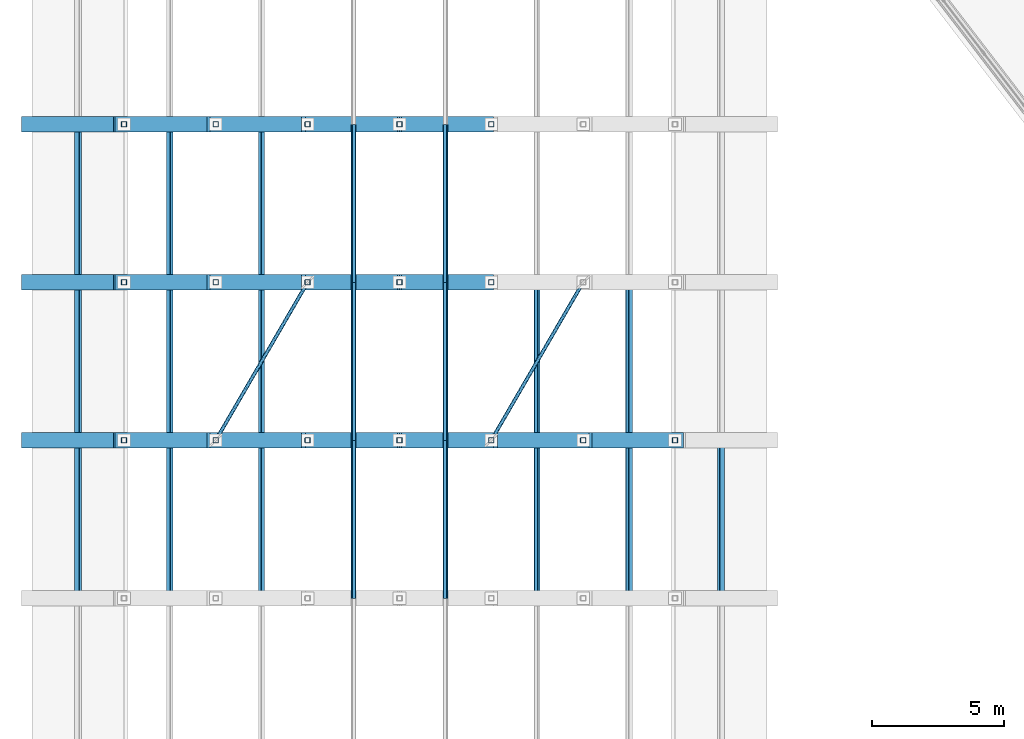
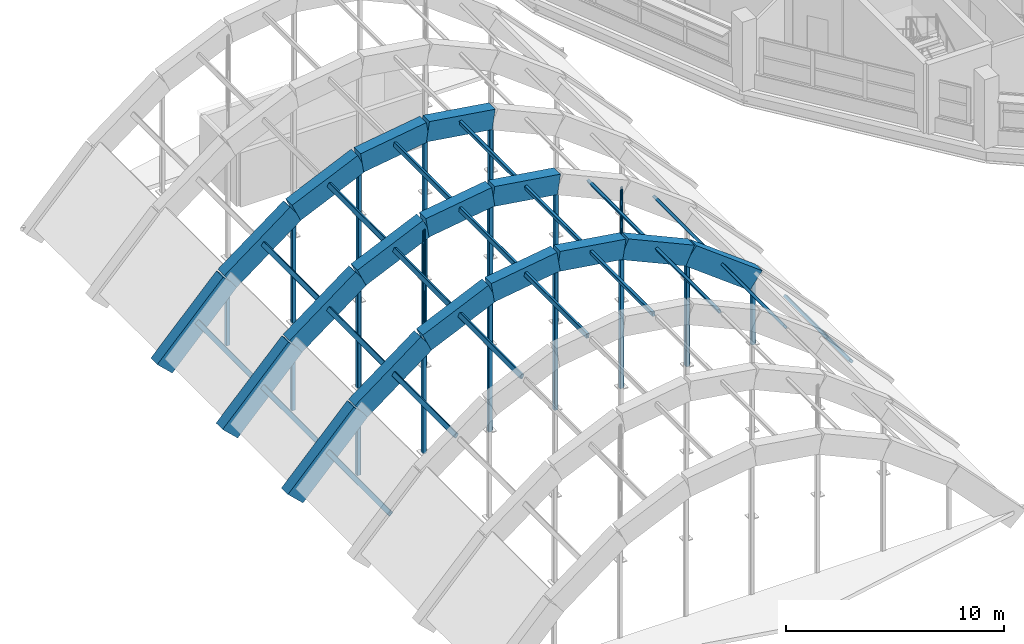
# One storey, part 3 of 88: 39 members, 17 beams.
"""IFC4 building model written with IfcOpenShell, lengths in metres."""

from ifc_helpers import new_model, si_unit, direction, frame, origin, origin_2d, place, context, subcontext, project, spatial, rectangle, hollow_rectangle, hollow_circle, extrude, material, material_profile, profile_set, type_object, element, save


model = new_model("IFC4")

# Units and contexts
model_context = context("Model", 3, precision=1e-05, world=origin(), true_north=direction((0.0, 1.0)))
body_context = subcontext(model_context, "Body", "Model", "MODEL_VIEW")
ifc_project = project(units=[si_unit("LENGTHUNIT", "METRE"), si_unit("AREAUNIT", "SQUARE_METRE"), si_unit("VOLUMEUNIT", "CUBIC_METRE"), si_unit("PLANEANGLEUNIT", "RADIAN"), si_unit("MASSUNIT", "GRAM", prefix="KILO")], contexts=[model_context])

# Site, building, storey
site_placement = place(None, origin())
site = spatial("IfcSite", under=ifc_project, at=site_placement, CompositionType="ELEMENT")
building_placement = place(site_placement, origin())
building = spatial("IfcBuilding", under=site, at=building_placement, Name="Vespera Passage Community Centre", CompositionType="ELEMENT")
storey_placement = place(building_placement, frame((0.0, 0.0, 16.5)))
storey = spatial("IfcBuildingStorey", under=building, at=storey_placement, Name="L04", CompositionType="ELEMENT", Elevation=16.5)

# Beams
ifc_material_1 = material(Name="Concrete f'c 45 MPa", Category="concrete")
ifc_material_profile_1 = material_profile(ifc_material_1, rectangle(XDim=0.60009765625, YDim=1.10009765625, at=origin_2d()), Name="RC600X1100")
ifc_profile_set_1 = profile_set([ifc_material_profile_1], Name="Concrete f'c 45 MPa")
beam_type = type_object("IfcBeamType", Name="BM-AR-600X1100", PredefinedType="USERDEFINED", material=ifc_profile_set_1)
beam_1_placement = place(storey_placement, frame((4.050048828125, 25.0, -0.550048828125), z_axis=(0.688360568967, 0.0, 0.725368683561), x_axis=(0.0, 1.0, 0.0)))
element("IfcBeam", 1, at=beam_1_placement, inside=storey, type_object=beam_type, Name="Main Hall Barrel Vault Arch Rib AR4 Seg 1", ObjectType="ARCH RIB", PredefinedType="USERDEFINED", context=body_context, shape_type="SweptSolid", body=[
    extrude(rectangle(XDim=0.60009765625, YDim=1.10009765625, at=origin_2d()), origin(), (0.0, 0.0, 1.0), 5.06640625),
])
beam_2_placement = place(storey_placement, frame((7.53759765625, 25.0, 3.125), z_axis=(0.798951709852, 0.0, 0.601395182325), x_axis=(0.0, 1.0, 0.0)))
element("IfcBeam", 2, at=beam_2_placement, inside=storey, type_object=beam_type, Name="Main Hall Barrel Vault Arch Rib AR4 Seg 2", ObjectType="ARCH RIB", PredefinedType="USERDEFINED", context=body_context, shape_type="SweptSolid", body=[
    extrude(rectangle(XDim=0.60009765625, YDim=1.10009765625, at=origin_2d()), origin(), (0.0, 0.0, 1.0), 4.36474609375),
])
beam_3_placement = place(storey_placement, frame((11.02490234375, 25.0, 5.75), z_axis=(0.911377547456, 0.0, 0.411571337672), x_axis=(0.0, 1.0, 0.0)))
element("IfcBeam", 3, at=beam_3_placement, inside=storey, type_object=beam_type, Name="Main Hall Barrel Vault Arch Rib AR4 Seg 3", ObjectType="ARCH RIB", PredefinedType="USERDEFINED", context=body_context, shape_type="SweptSolid", body=[
    extrude(rectangle(XDim=0.60009765625, YDim=1.10009765625, at=origin_2d()), origin(), (0.0, 0.0, 1.0), 3.82666015625),
])
for number, where, z_axis, x_axis, name in (
    (4, (14.512451171875, 25.0, 7.324951171875), (0.988852416544, 0.0, 0.148898953307), (0.0, 1.0, 0.0), "Main Hall Barrel Vault Arch Rib AR4 Seg 4"),
    (5, (18.0, 25.0, 7.85009765625), (0.988852416544, 0.0, -0.148898953307), (0.0, 1.0, 0.0), "Main Hall Barrel Vault Arch Rib AR4 Seg 5"),
):
    element("IfcBeam", number, at=place(storey_placement, frame(where, z_axis=z_axis, x_axis=x_axis)), inside=storey, type_object=beam_type, Name=name, ObjectType="ARCH RIB", PredefinedType="USERDEFINED", context=body_context, shape_type="SweptSolid", body=[
        extrude(rectangle(XDim=0.60009765625, YDim=1.10009765625, at=origin_2d()), origin(), (0.0, 0.0, 1.0), 3.52685546875),
    ])
beam_4_placement = place(storey_placement, frame((21.487548828125, 25.0, 7.324951171875), z_axis=(0.911377547456, 0.0, -0.411571337672), x_axis=(0.0, 1.0, 0.0)))
element("IfcBeam", 6, at=beam_4_placement, inside=storey, type_object=beam_type, Name="Main Hall Barrel Vault Arch Rib AR4 Seg 6", ObjectType="ARCH RIB", PredefinedType="USERDEFINED", context=body_context, shape_type="SweptSolid", body=[
    extrude(rectangle(XDim=0.60009765625, YDim=1.10009765625, at=origin_2d()), origin(), (0.0, 0.0, 1.0), 3.82666015625),
])
beam_5_placement = place(storey_placement, frame((24.97509765625, 25.0, 5.75), z_axis=(0.798951709852, 0.0, -0.601395182325), x_axis=(0.0, 1.0, 0.0)))
element("IfcBeam", 7, at=beam_5_placement, inside=storey, type_object=beam_type, Name="Main Hall Barrel Vault Arch Rib AR4 Seg 7", ObjectType="ARCH RIB", PredefinedType="USERDEFINED", context=body_context, shape_type="SweptSolid", body=[
    extrude(rectangle(XDim=0.60009765625, YDim=1.10009765625, at=origin_2d()), origin(), (0.0, 0.0, 1.0), 4.36474609375),
])
beam_6_placement = place(storey_placement, frame((4.050048828125, 31.0, -0.550048828125), z_axis=(0.688360568967, 0.0, 0.725368683561), x_axis=(0.0, 1.0, 0.0)))
element("IfcBeam", 8, at=beam_6_placement, inside=storey, type_object=beam_type, Name="Main Hall Barrel Vault Arch Rib AR5 Seg 1", ObjectType="ARCH RIB", PredefinedType="USERDEFINED", context=body_context, shape_type="SweptSolid", body=[
    extrude(rectangle(XDim=0.60009765625, YDim=1.10009765625, at=origin_2d()), origin(), (0.0, 0.0, 1.0), 5.06640625),
])
beam_7_placement = place(storey_placement, frame((7.53759765625, 31.0, 3.125), z_axis=(0.798951709852, 0.0, 0.601395182325), x_axis=(0.0, 1.0, 0.0)))
element("IfcBeam", 9, at=beam_7_placement, inside=storey, type_object=beam_type, Name="Main Hall Barrel Vault Arch Rib AR5 Seg 2", ObjectType="ARCH RIB", PredefinedType="USERDEFINED", context=body_context, shape_type="SweptSolid", body=[
    extrude(rectangle(XDim=0.60009765625, YDim=1.10009765625, at=origin_2d()), origin(), (0.0, 0.0, 1.0), 4.36474609375),
])
beam_8_placement = place(storey_placement, frame((11.02490234375, 31.0, 5.75), z_axis=(0.911377547456, 0.0, 0.411571337672), x_axis=(0.0, 1.0, 0.0)))
element("IfcBeam", 10, at=beam_8_placement, inside=storey, type_object=beam_type, Name="Main Hall Barrel Vault Arch Rib AR5 Seg 3", ObjectType="ARCH RIB", PredefinedType="USERDEFINED", context=body_context, shape_type="SweptSolid", body=[
    extrude(rectangle(XDim=0.60009765625, YDim=1.10009765625, at=origin_2d()), origin(), (0.0, 0.0, 1.0), 3.82666015625),
])
for number, where, z_axis, x_axis, name in (
    (11, (14.512451171875, 31.0, 7.324951171875), (0.988852416544, 0.0, 0.148898953307), (0.0, 1.0, 0.0), "Main Hall Barrel Vault Arch Rib AR5 Seg 4"),
    (12, (18.0, 31.0, 7.85009765625), (0.988852416544, 0.0, -0.148898953307), (0.0, 1.0, 0.0), "Main Hall Barrel Vault Arch Rib AR5 Seg 5"),
):
    element("IfcBeam", number, at=place(storey_placement, frame(where, z_axis=z_axis, x_axis=x_axis)), inside=storey, type_object=beam_type, Name=name, ObjectType="ARCH RIB", PredefinedType="USERDEFINED", context=body_context, shape_type="SweptSolid", body=[
        extrude(rectangle(XDim=0.60009765625, YDim=1.10009765625, at=origin_2d()), origin(), (0.0, 0.0, 1.0), 3.52685546875),
    ])
beam_9_placement = place(storey_placement, frame((4.050048828125, 37.0, -0.550048828125), z_axis=(0.688360568967, 0.0, 0.725368683561), x_axis=(0.0, 1.0, 0.0)))
element("IfcBeam", 13, at=beam_9_placement, inside=storey, type_object=beam_type, Name="Main Hall Barrel Vault Arch Rib AR6 Seg 1", ObjectType="ARCH RIB", PredefinedType="USERDEFINED", context=body_context, shape_type="SweptSolid", body=[
    extrude(rectangle(XDim=0.60009765625, YDim=1.10009765625, at=origin_2d()), origin(), (0.0, 0.0, 1.0), 5.06640625),
])
beam_10_placement = place(storey_placement, frame((7.53759765625, 37.0, 3.125), z_axis=(0.798951709852, 0.0, 0.601395182325), x_axis=(0.0, 1.0, 0.0)))
element("IfcBeam", 14, at=beam_10_placement, inside=storey, type_object=beam_type, Name="Main Hall Barrel Vault Arch Rib AR6 Seg 2", ObjectType="ARCH RIB", PredefinedType="USERDEFINED", context=body_context, shape_type="SweptSolid", body=[
    extrude(rectangle(XDim=0.60009765625, YDim=1.10009765625, at=origin_2d()), origin(), (0.0, 0.0, 1.0), 4.36474609375),
])
beam_11_placement = place(storey_placement, frame((11.02490234375, 37.0, 5.75), z_axis=(0.911377547456, 0.0, 0.411571337672), x_axis=(0.0, 1.0, 0.0)))
element("IfcBeam", 15, at=beam_11_placement, inside=storey, type_object=beam_type, Name="Main Hall Barrel Vault Arch Rib AR6 Seg 3", ObjectType="ARCH RIB", PredefinedType="USERDEFINED", context=body_context, shape_type="SweptSolid", body=[
    extrude(rectangle(XDim=0.60009765625, YDim=1.10009765625, at=origin_2d()), origin(), (0.0, 0.0, 1.0), 3.82666015625),
])
for number, where, z_axis, x_axis, name in (
    (16, (14.512451171875, 37.0, 7.324951171875), (0.988852416544, 0.0, 0.148898953307), (0.0, 1.0, 0.0), "Main Hall Barrel Vault Arch Rib AR6 Seg 4"),
    (17, (18.0, 37.0, 7.85009765625), (0.988852416544, 0.0, -0.148898953307), (0.0, 1.0, 0.0), "Main Hall Barrel Vault Arch Rib AR6 Seg 5"),
):
    element("IfcBeam", number, at=place(storey_placement, frame(where, z_axis=z_axis, x_axis=x_axis)), inside=storey, type_object=beam_type, Name=name, ObjectType="ARCH RIB", PredefinedType="USERDEFINED", context=body_context, shape_type="SweptSolid", body=[
        extrude(rectangle(XDim=0.60009765625, YDim=1.10009765625, at=origin_2d()), origin(), (0.0, 0.0, 1.0), 3.52685546875),
    ])

# Members
ifc_material_2 = material(Name="Steel ASTM A500 Grade C", Category="steel")
ifc_material_profile_2 = material_profile(ifc_material_2, hollow_rectangle(XDim=0.15234375, YDim=0.25390625, WallThickness=0.01171875, InnerFilletRadius=0.01171875, OuterFilletRadius=0.023681640625, at=origin_2d()), Name="HSS254X152X12.7")
ifc_profile_set_2 = profile_set([ifc_material_profile_2], Name="Steel ASTM A500 Grade C")
member_type_1 = type_object("IfcMemberType", Name="MB-PR-HSS254X152", PredefinedType="PURLIN", material=ifc_profile_set_2)
for number, where, z_axis, x_axis, name in (
    (18, (5.793701171875, 19.0, 1.46044921875), (0.0, 1.0, 0.0), (-0.688354575694, 0.0, 0.725374371012), "Main Hall Vault Purlin B3.1"),
    (19, (9.28125, 19.0, 4.610595703125), (0.0, 1.0, 0.0), (-0.798971502388, 0.0, 0.6013688871), "Main Hall Vault Purlin B3.2"),
    (20, (12.768798828125, 19.0, 6.71044921875), (0.0, 1.0, 0.0), (-0.911367361763, 0.0, 0.411593891978), "Main Hall Vault Purlin B3.3"),
    (21, (16.25634765625, 19.0, 7.760498046875), (0.0, 1.0, 0.0), (-0.988857937462, 0.0, 0.148862283734), "Main Hall Vault Purlin B3.4"),
    (22, (19.74365234375, 19.0, 7.760498046875), (0.0, 1.0, 0.0), (-0.988857937462, 0.0, -0.148862283734), "Main Hall Vault Purlin B3.5"),
    (23, (23.231201171875, 19.0, 6.71044921875), (0.0, 1.0, 0.0), (-0.911367361763, 0.0, -0.411593891978), "Main Hall Vault Purlin B3.6"),
    (24, (26.71875, 19.0, 4.610595703125), (0.0, 1.0, 0.0), (-0.798971502388, 0.0, -0.6013688871), "Main Hall Vault Purlin B3.7"),
    (25, (30.206298828125, 19.0, 1.46044921875), (0.0, 1.0, 0.0), (-0.688354575694, 0.0, -0.725374371012), "Main Hall Vault Purlin B3.8"),
    (26, (5.793701171875, 25.0, 1.46044921875), (0.0, 1.0, 0.0), (-0.688354575694, 0.0, 0.725374371012), "Main Hall Vault Purlin B4.1"),
    (27, (9.28125, 25.0, 4.610595703125), (0.0, 1.0, 0.0), (-0.798971502388, 0.0, 0.6013688871), "Main Hall Vault Purlin B4.2"),
    (28, (12.768798828125, 25.0, 6.71044921875), (0.0, 1.0, 0.0), (-0.911367361763, 0.0, 0.411593891978), "Main Hall Vault Purlin B4.3"),
    (29, (16.25634765625, 25.0, 7.760498046875), (0.0, 1.0, 0.0), (-0.988857937462, 0.0, 0.148862283734), "Main Hall Vault Purlin B4.4"),
    (30, (19.74365234375, 25.0, 7.760498046875), (0.0, 1.0, 0.0), (-0.988857937462, 0.0, -0.148862283734), "Main Hall Vault Purlin B4.5"),
    (31, (23.231201171875, 25.0, 6.71044921875), (0.0, 1.0, 0.0), (-0.911367361763, 0.0, -0.411593891978), "Main Hall Vault Purlin B4.6"),
    (32, (26.71875, 25.0, 4.610595703125), (0.0, 1.0, 0.0), (-0.798971502388, 0.0, -0.6013688871), "Main Hall Vault Purlin B4.7"),
    (33, (5.793701171875, 31.0, 1.46044921875), (0.0, 1.0, 0.0), (-0.688354575694, 0.0, 0.725374371012), "Main Hall Vault Purlin B5.1"),
    (34, (9.28125, 31.0, 4.610595703125), (0.0, 1.0, 0.0), (-0.798971502388, 0.0, 0.6013688871), "Main Hall Vault Purlin B5.2"),
    (35, (12.768798828125, 31.0, 6.71044921875), (0.0, 1.0, 0.0), (-0.911367361763, 0.0, 0.411593891978), "Main Hall Vault Purlin B5.3"),
    (36, (16.25634765625, 31.0, 7.760498046875), (0.0, 1.0, 0.0), (-0.988857937462, 0.0, 0.148862283734), "Main Hall Vault Purlin B5.4"),
    (37, (19.74365234375, 31.0, 7.760498046875), (0.0, 1.0, 0.0), (-0.988857937462, 0.0, -0.148862283734), "Main Hall Vault Purlin B5.5"),
):
    element("IfcMember", number, at=place(storey_placement, frame(where, z_axis=z_axis, x_axis=x_axis)), inside=storey, type_object=member_type_1, Name=name, PredefinedType="PURLIN", context=body_context, shape_type="SweptSolid", body=[
        extrude(hollow_rectangle(XDim=0.15234375, YDim=0.25390625, WallThickness=0.01171875, InnerFilletRadius=0.01171875, OuterFilletRadius=0.023681640625, at=origin_2d()), origin(), (0.0, 0.0, 1.0), 6.0),
    ])
ifc_material_3 = material(Name="Steel ASTM A500 Grade C", Category="steel")
ifc_material_profile_3 = material_profile(ifc_material_3, hollow_rectangle(XDim=0.203125, YDim=0.203125, WallThickness=0.01171875, InnerFilletRadius=0.01171875, OuterFilletRadius=0.023681640625, at=origin_2d()), Name="HSS203X203X12.7")
ifc_profile_set_3 = profile_set([ifc_material_profile_3], Name="Steel ASTM A500 Grade C")
member_type_2 = type_object("IfcMemberType", Name="SS-203", PredefinedType="STRUT", material=ifc_profile_set_3)
member_1_placement = place(storey_placement, frame((7.53759765625, 25.0, -0.58544921875), z_axis=(0.0, 0.0, 1.0), x_axis=(1.0, 0.0, 0.0)))
element("IfcMember", 38, at=member_1_placement, inside=storey, type_object=member_type_2, Name="Main Hall Arch Rib AR4 Bowstring Post 1", PredefinedType="STRUT", context=body_context, shape_type="SweptSolid", body=[
    extrude(hollow_rectangle(XDim=0.203125, YDim=0.203125, WallThickness=0.01171875, InnerFilletRadius=0.01171875, OuterFilletRadius=0.023681640625, at=origin_2d()), origin(), (0.0, 0.0, 1.0), 3.71044921875),
])
member_2_placement = place(storey_placement, frame((11.02490234375, 25.0, -0.58544921875), z_axis=(0.0, 0.0, 1.0), x_axis=(1.0, 0.0, 0.0)))
element("IfcMember", 39, at=member_2_placement, inside=storey, type_object=member_type_2, Name="Main Hall Arch Rib AR4 Bowstring Post 2", PredefinedType="STRUT", context=body_context, shape_type="SweptSolid", body=[
    extrude(hollow_rectangle(XDim=0.203125, YDim=0.203125, WallThickness=0.01171875, InnerFilletRadius=0.01171875, OuterFilletRadius=0.023681640625, at=origin_2d()), origin(), (0.0, 0.0, 1.0), 6.33544921875),
])
member_3_placement = place(storey_placement, frame((14.512451171875, 25.0, -0.58544921875), z_axis=(0.0, 0.0, 1.0), x_axis=(1.0, 0.0, 0.0)))
element("IfcMember", 40, at=member_3_placement, inside=storey, type_object=member_type_2, Name="Main Hall Arch Rib AR4 Bowstring Post 3", PredefinedType="STRUT", context=body_context, shape_type="SweptSolid", body=[
    extrude(hollow_rectangle(XDim=0.203125, YDim=0.203125, WallThickness=0.01171875, InnerFilletRadius=0.01171875, OuterFilletRadius=0.023681640625, at=origin_2d()), origin(), (0.0, 0.0, 1.0), 7.910400390625),
])
member_4_placement = place(storey_placement, frame((18.0, 25.0, -0.58544921875), z_axis=(0.0, 0.0, 1.0), x_axis=(1.0, 0.0, 0.0)))
element("IfcMember", 41, at=member_4_placement, inside=storey, type_object=member_type_2, Name="Main Hall Arch Rib AR4 Bowstring Post 4", PredefinedType="STRUT", context=body_context, shape_type="SweptSolid", body=[
    extrude(hollow_rectangle(XDim=0.203125, YDim=0.203125, WallThickness=0.01171875, InnerFilletRadius=0.01171875, OuterFilletRadius=0.023681640625, at=origin_2d()), origin(), (0.0, 0.0, 1.0), 8.435546875),
])
member_5_placement = place(storey_placement, frame((21.487548828125, 25.0, -0.58544921875), z_axis=(0.0, 0.0, 1.0), x_axis=(1.0, 0.0, 0.0)))
element("IfcMember", 42, at=member_5_placement, inside=storey, type_object=member_type_2, Name="Main Hall Arch Rib AR4 Bowstring Post 5", PredefinedType="STRUT", context=body_context, shape_type="SweptSolid", body=[
    extrude(hollow_rectangle(XDim=0.203125, YDim=0.203125, WallThickness=0.01171875, InnerFilletRadius=0.01171875, OuterFilletRadius=0.023681640625, at=origin_2d()), origin(), (0.0, 0.0, 1.0), 7.910400390625),
])
member_6_placement = place(storey_placement, frame((24.97509765625, 25.0, -0.58544921875), z_axis=(0.0, 0.0, 1.0), x_axis=(1.0, 0.0, 0.0)))
element("IfcMember", 43, at=member_6_placement, inside=storey, type_object=member_type_2, Name="Main Hall Arch Rib AR4 Bowstring Post 6", PredefinedType="STRUT", context=body_context, shape_type="SweptSolid", body=[
    extrude(hollow_rectangle(XDim=0.203125, YDim=0.203125, WallThickness=0.01171875, InnerFilletRadius=0.01171875, OuterFilletRadius=0.023681640625, at=origin_2d()), origin(), (0.0, 0.0, 1.0), 6.33544921875),
])
for number, where, z_axis, x_axis, name in (
    (44, (28.46240234375, 25.0, -0.58544921875), (0.0, 0.0, 1.0), (1.0, 0.0, 0.0), "Main Hall Arch Rib AR4 Bowstring Post 7"),
    (45, (7.53759765625, 31.0, -0.58544921875), (0.0, 0.0, 1.0), (1.0, 0.0, 0.0), "Main Hall Arch Rib AR5 Bowstring Post 1"),
):
    element("IfcMember", number, at=place(storey_placement, frame(where, z_axis=z_axis, x_axis=x_axis)), inside=storey, type_object=member_type_2, Name=name, PredefinedType="STRUT", context=body_context, shape_type="SweptSolid", body=[
        extrude(hollow_rectangle(XDim=0.203125, YDim=0.203125, WallThickness=0.01171875, InnerFilletRadius=0.01171875, OuterFilletRadius=0.023681640625, at=origin_2d()), origin(), (0.0, 0.0, 1.0), 3.71044921875),
    ])
member_7_placement = place(storey_placement, frame((11.02490234375, 31.0, -0.58544921875), z_axis=(0.0, 0.0, 1.0), x_axis=(1.0, 0.0, 0.0)))
element("IfcMember", 46, at=member_7_placement, inside=storey, type_object=member_type_2, Name="Main Hall Arch Rib AR5 Bowstring Post 2", PredefinedType="STRUT", context=body_context, shape_type="SweptSolid", body=[
    extrude(hollow_rectangle(XDim=0.203125, YDim=0.203125, WallThickness=0.01171875, InnerFilletRadius=0.01171875, OuterFilletRadius=0.023681640625, at=origin_2d()), origin(), (0.0, 0.0, 1.0), 6.33544921875),
])
member_8_placement = place(storey_placement, frame((14.512451171875, 31.0, -0.58544921875), z_axis=(0.0, 0.0, 1.0), x_axis=(1.0, 0.0, 0.0)))
element("IfcMember", 47, at=member_8_placement, inside=storey, type_object=member_type_2, Name="Main Hall Arch Rib AR5 Bowstring Post 3", PredefinedType="STRUT", context=body_context, shape_type="SweptSolid", body=[
    extrude(hollow_rectangle(XDim=0.203125, YDim=0.203125, WallThickness=0.01171875, InnerFilletRadius=0.01171875, OuterFilletRadius=0.023681640625, at=origin_2d()), origin(), (0.0, 0.0, 1.0), 7.910400390625),
])
member_9_placement = place(storey_placement, frame((18.0, 31.0, -0.58544921875), z_axis=(0.0, 0.0, 1.0), x_axis=(1.0, 0.0, 0.0)))
element("IfcMember", 48, at=member_9_placement, inside=storey, type_object=member_type_2, Name="Main Hall Arch Rib AR5 Bowstring Post 4", PredefinedType="STRUT", context=body_context, shape_type="SweptSolid", body=[
    extrude(hollow_rectangle(XDim=0.203125, YDim=0.203125, WallThickness=0.01171875, InnerFilletRadius=0.01171875, OuterFilletRadius=0.023681640625, at=origin_2d()), origin(), (0.0, 0.0, 1.0), 8.435546875),
])
member_10_placement = place(storey_placement, frame((21.487548828125, 31.0, -0.58544921875), z_axis=(0.0, 0.0, 1.0), x_axis=(1.0, 0.0, 0.0)))
element("IfcMember", 49, at=member_10_placement, inside=storey, type_object=member_type_2, Name="Main Hall Arch Rib AR5 Bowstring Post 5", PredefinedType="STRUT", context=body_context, shape_type="SweptSolid", body=[
    extrude(hollow_rectangle(XDim=0.203125, YDim=0.203125, WallThickness=0.01171875, InnerFilletRadius=0.01171875, OuterFilletRadius=0.023681640625, at=origin_2d()), origin(), (0.0, 0.0, 1.0), 7.910400390625),
])
member_11_placement = place(storey_placement, frame((7.53759765625, 37.0, -0.58544921875), z_axis=(0.0, 0.0, 1.0), x_axis=(1.0, 0.0, 0.0)))
element("IfcMember", 50, at=member_11_placement, inside=storey, type_object=member_type_2, Name="Main Hall Arch Rib AR6 Bowstring Post 1", PredefinedType="STRUT", context=body_context, shape_type="SweptSolid", body=[
    extrude(hollow_rectangle(XDim=0.203125, YDim=0.203125, WallThickness=0.01171875, InnerFilletRadius=0.01171875, OuterFilletRadius=0.023681640625, at=origin_2d()), origin(), (0.0, 0.0, 1.0), 3.71044921875),
])
member_12_placement = place(storey_placement, frame((11.02490234375, 37.0, -0.58544921875), z_axis=(0.0, 0.0, 1.0), x_axis=(1.0, 0.0, 0.0)))
element("IfcMember", 51, at=member_12_placement, inside=storey, type_object=member_type_2, Name="Main Hall Arch Rib AR6 Bowstring Post 2", PredefinedType="STRUT", context=body_context, shape_type="SweptSolid", body=[
    extrude(hollow_rectangle(XDim=0.203125, YDim=0.203125, WallThickness=0.01171875, InnerFilletRadius=0.01171875, OuterFilletRadius=0.023681640625, at=origin_2d()), origin(), (0.0, 0.0, 1.0), 6.33544921875),
])
member_13_placement = place(storey_placement, frame((14.512451171875, 37.0, -0.58544921875), z_axis=(0.0, 0.0, 1.0), x_axis=(1.0, 0.0, 0.0)))
element("IfcMember", 52, at=member_13_placement, inside=storey, type_object=member_type_2, Name="Main Hall Arch Rib AR6 Bowstring Post 3", PredefinedType="STRUT", context=body_context, shape_type="SweptSolid", body=[
    extrude(hollow_rectangle(XDim=0.203125, YDim=0.203125, WallThickness=0.01171875, InnerFilletRadius=0.01171875, OuterFilletRadius=0.023681640625, at=origin_2d()), origin(), (0.0, 0.0, 1.0), 7.910400390625),
])
member_14_placement = place(storey_placement, frame((18.0, 37.0, -0.58544921875), z_axis=(0.0, 0.0, 1.0), x_axis=(1.0, 0.0, 0.0)))
element("IfcMember", 53, at=member_14_placement, inside=storey, type_object=member_type_2, Name="Main Hall Arch Rib AR6 Bowstring Post 4", PredefinedType="STRUT", context=body_context, shape_type="SweptSolid", body=[
    extrude(hollow_rectangle(XDim=0.203125, YDim=0.203125, WallThickness=0.01171875, InnerFilletRadius=0.01171875, OuterFilletRadius=0.023681640625, at=origin_2d()), origin(), (0.0, 0.0, 1.0), 8.435546875),
])
member_15_placement = place(storey_placement, frame((21.487548828125, 37.0, -0.58544921875), z_axis=(0.0, 0.0, 1.0), x_axis=(1.0, 0.0, 0.0)))
element("IfcMember", 54, at=member_15_placement, inside=storey, type_object=member_type_2, Name="Main Hall Arch Rib AR6 Bowstring Post 5", PredefinedType="STRUT", context=body_context, shape_type="SweptSolid", body=[
    extrude(hollow_rectangle(XDim=0.203125, YDim=0.203125, WallThickness=0.01171875, InnerFilletRadius=0.01171875, OuterFilletRadius=0.023681640625, at=origin_2d()), origin(), (0.0, 0.0, 1.0), 7.910400390625),
])
ifc_material_4 = material(Name="Steel ASTM A500 Grade C", Category="steel")
ifc_material_profile_4 = material_profile(ifc_material_4, hollow_circle(Radius=0.070556640625, WallThickness=0.0087890625, at=origin_2d()), Name="CHS141X9.5")
ifc_profile_set_4 = profile_set([ifc_material_profile_4], Name="Steel ASTM A500 Grade C")
member_type_3 = type_object("IfcMemberType", Name="VB-141", PredefinedType="BRACE", material=ifc_profile_set_4)
for number, where, z_axis, x_axis, name in (
    (55, (11.02490234375, 25.0, 5.75), (0.490070519088, 0.843120271411, 0.221312209915), (-0.86455872774, 0.502531796296, 0.0), "Vault Wind Brace B4.3"),
    (56, (21.487548828125, 25.0, 7.324951171875), (0.490070519088, 0.843120271411, -0.221312209915), (-0.86455872774, 0.502531796296, 0.0), "Vault Wind Brace B4.6"),
):
    element("IfcMember", number, at=place(storey_placement, frame(where, z_axis=z_axis, x_axis=x_axis)), inside=storey, type_object=member_type_3, Name=name, PredefinedType="BRACE", context=body_context, shape_type="SweptSolid", body=[
        extrude(hollow_circle(Radius=0.070556640625, WallThickness=0.0087890625, at=origin_2d()), origin(), (0.0, 0.0, 1.0), 7.116455078125),
    ])

save(model, "model.ifc")
